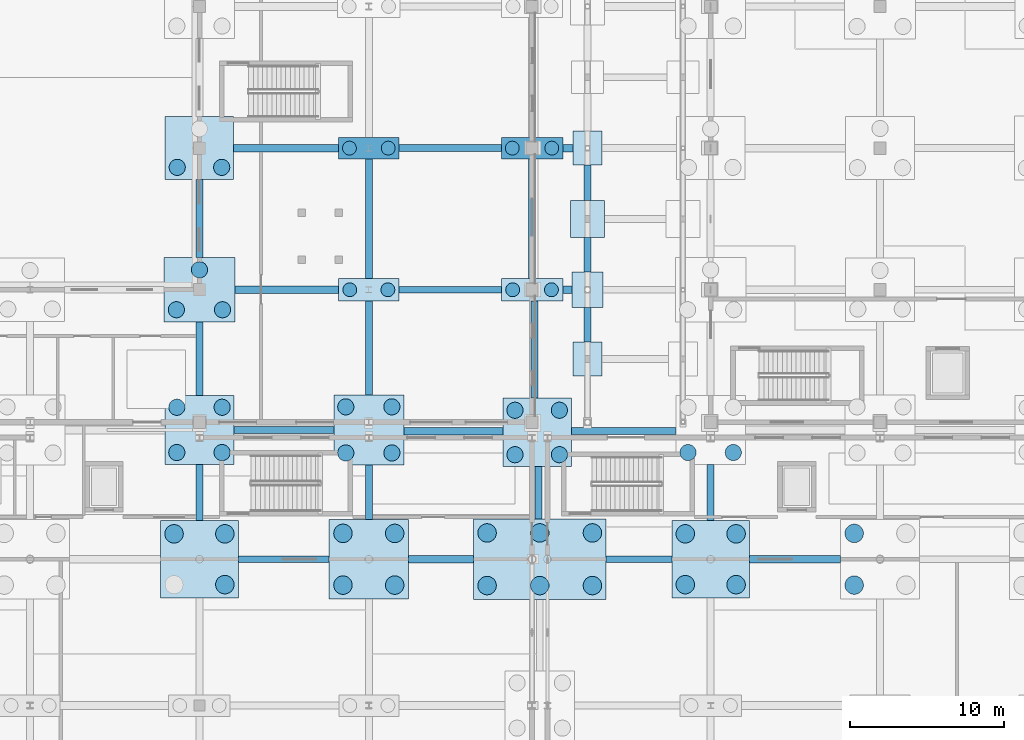
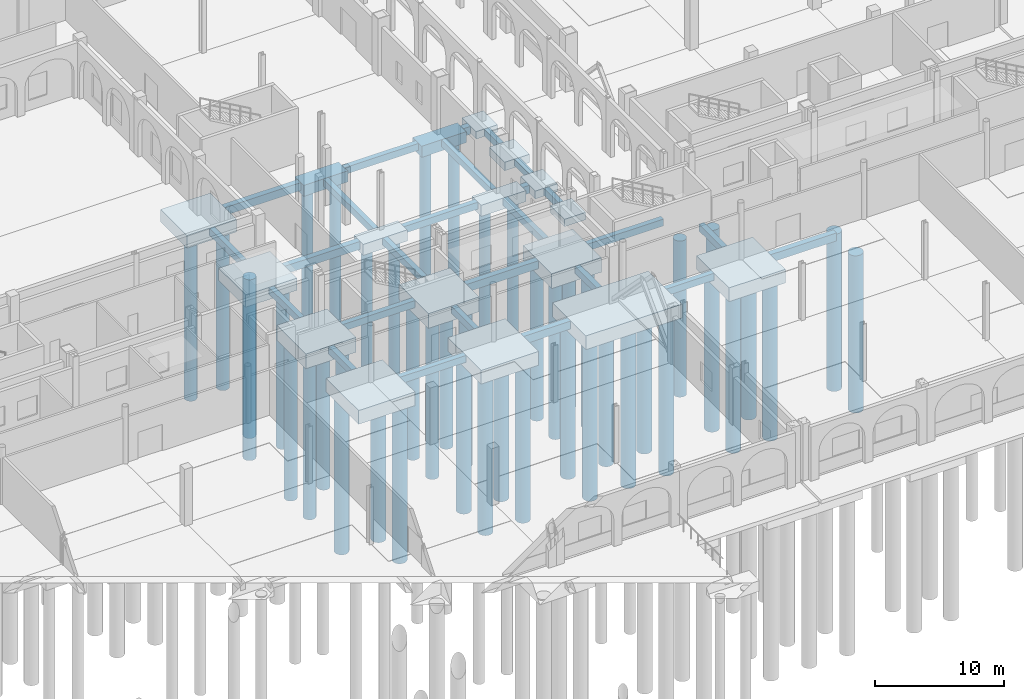
# One storey, part 7 of 83: 46 piles, 43 footings.
"""IFC4 building model written with IfcOpenShell, lengths in metres."""

from ifc_helpers import new_model, si_unit, direction, frame, origin, origin_2d, place, context, subcontext, project, spatial, polyline, circle, outline, extrude, material, material_profile, profile_set, type_object, element, save


model = new_model("IFC4")

# Units and contexts
model_context = context("Model", 3, precision=1e-05, world=origin(), true_north=direction((0.0, 1.0)))
body_context = subcontext(model_context, "Body", "Model", "MODEL_VIEW")
ifc_project = project(units=[si_unit("LENGTHUNIT", "METRE"), si_unit("AREAUNIT", "SQUARE_METRE"), si_unit("VOLUMEUNIT", "CUBIC_METRE"), si_unit("PLANEANGLEUNIT", "RADIAN"), si_unit("MASSUNIT", "GRAM", prefix="KILO")], contexts=[model_context])

# Site, building, storey
site_placement = place(None, origin())
site = spatial("IfcSite", under=ifc_project, at=site_placement, CompositionType="ELEMENT")
building_placement = place(site_placement, origin())
building = spatial("IfcBuilding", under=site, at=building_placement, Name="Caurita Quay Ferry Terminal", CompositionType="ELEMENT")
storey_placement = place(building_placement, origin())
storey = spatial("IfcBuildingStorey", under=building, at=storey_placement, Name="L00", CompositionType="ELEMENT", Elevation=0.0)

# Footings
ifc_material = material(Name="Marine reinforced concrete C40/50", Category="concrete")
footing_type_1 = type_object("IfcFootingType", Name="FTG-BM-01", PredefinedType="FOOTING_BEAM", material=ifc_material)
footing_1_placement = place(storey_placement, frame((0.0, 0.0, -1.14990234375)))
element("IfcFooting", 1, at=footing_1_placement, inside=storey, type_object=footing_type_1, Name="Seismic Tie Footing Beam FB-X-081", PredefinedType="FOOTING_BEAM", context=body_context, shape_type="SweptSolid", body=[
    extrude(outline(polyline([(79.574951171875, 62.449951171875), (83.800048828125, 62.449951171875), (83.800048828125, 62.949951171875), (79.574951171875, 62.949951171875), (79.574951171875, 62.449951171875)])), origin(), (0.0, 0.0, 1.0), 0.75),
])
footing_2_placement = place(storey_placement, frame((0.0, 0.0, -1.14990234375)))
element("IfcFooting", 2, at=footing_2_placement, inside=storey, type_object=footing_type_1, Name="Seismic Tie Footing Beam FB-X-083", PredefinedType="FOOTING_BEAM", context=body_context, shape_type="SweptSolid", body=[
    extrude(outline(polyline([(101.72509765625, 62.449951171875), (107.625, 62.449951171875), (107.625, 62.949951171875), (101.72509765625, 62.949951171875), (101.72509765625, 62.449951171875)])), origin(), (0.0, 0.0, 1.0), 0.75),
])
footing_3_placement = place(storey_placement, frame((0.0, 0.0, -1.14990234375)))
element("IfcFooting", 3, at=footing_3_placement, inside=storey, type_object=footing_type_1, Name="Seismic Tie Footing Beam FB-X-097", PredefinedType="FOOTING_BEAM", context=body_context, shape_type="SweptSolid", body=[
    extrude(outline(polyline([(79.27490234375, 70.76708984375), (85.7080078125, 70.76708984375), (85.7080078125, 71.26708984375), (79.27490234375, 71.26708984375), (79.27490234375, 70.76708984375)])), origin(), (0.0, 0.0, 1.0), 0.75),
])
footing_4_placement = place(storey_placement, frame((0.0, 0.0, -1.14990234375)))
element("IfcFooting", 4, at=footing_4_placement, inside=storey, type_object=footing_type_1, Name="Seismic Tie Footing Beam FB-X-113", PredefinedType="FOOTING_BEAM", context=body_context, shape_type="SweptSolid", body=[
    extrude(outline(polyline([(68.300048828125, 79.949951171875), (75.02490234375, 79.949951171875), (75.02490234375, 80.449951171875), (68.300048828125, 80.449951171875), (68.300048828125, 79.949951171875)])), origin(), (0.0, 0.0, 1.0), 0.75),
])
footing_5_placement = place(storey_placement, frame((0.0, 0.0, -1.14990234375)))
element("IfcFooting", 5, at=footing_5_placement, inside=storey, type_object=footing_type_1, Name="Seismic Tie Footing Beam FB-X-115", PredefinedType="FOOTING_BEAM", context=body_context, shape_type="SweptSolid", body=[
    extrude(outline(polyline([(89.60009765625, 79.949951171875), (90.199951171875, 79.949951171875), (90.199951171875, 80.449951171875), (89.60009765625, 80.449951171875), (89.60009765625, 79.949951171875)])), origin(), (0.0, 0.0, 1.0), 0.75),
])
footing_6_placement = place(storey_placement, frame((0.0, 0.0, -1.14990234375)))
element("IfcFooting", 6, at=footing_6_placement, inside=storey, type_object=footing_type_1, Name="Seismic Tie Footing Beam FB-X-127", PredefinedType="FOOTING_BEAM", context=body_context, shape_type="SweptSolid", body=[
    extrude(outline(polyline([(68.22509765625, 89.14990234375), (75.02490234375, 89.14990234375), (75.02490234375, 89.64990234375), (68.22509765625, 89.64990234375), (68.22509765625, 89.14990234375)])), origin(), (0.0, 0.0, 1.0), 0.75),
])
footing_7_placement = place(storey_placement, frame((0.0, 0.0, -1.14990234375)))
element("IfcFooting", 7, at=footing_7_placement, inside=storey, type_object=footing_type_1, Name="Seismic Tie Footing Beam FB-X-129", PredefinedType="FOOTING_BEAM", context=body_context, shape_type="SweptSolid", body=[
    extrude(outline(polyline([(89.60009765625, 89.14990234375), (90.25, 89.14990234375), (90.25, 89.64990234375), (89.60009765625, 89.64990234375), (89.60009765625, 89.14990234375)])), origin(), (0.0, 0.0, 1.0), 0.75),
])
footing_type_2 = type_object("IfcFootingType", Name="FTG-BM-02", PredefinedType="FOOTING_BEAM", material=ifc_material)
footing_8_placement = place(storey_placement, frame((0.0, 0.0, -1.050048828125)))
element("IfcFooting", 8, at=footing_8_placement, inside=storey, type_object=footing_type_2, Name="Seismic Tie Footing Beam FB-X-080", PredefinedType="FOOTING_BEAM", context=body_context, shape_type="SweptSolid", body=[
    extrude(outline(polyline([(68.52490234375, 62.47509765625), (74.425048828125, 62.47509765625), (74.425048828125, 62.925048828125), (68.52490234375, 62.925048828125), (68.52490234375, 62.47509765625)])), origin(), (0.0, 0.0, 1.0), 0.650146484375),
])
footing_9_placement = place(storey_placement, frame((0.0, 0.0, -1.050048828125)))
element("IfcFooting", 9, at=footing_9_placement, inside=storey, type_object=footing_type_2, Name="Seismic Tie Footing Beam FB-X-082", PredefinedType="FOOTING_BEAM", context=body_context, shape_type="SweptSolid", body=[
    extrude(outline(polyline([(92.39990234375, 62.47509765625), (96.675048828125, 62.47509765625), (96.675048828125, 62.925048828125), (92.39990234375, 62.925048828125), (92.39990234375, 62.47509765625)])), origin(), (0.0, 0.0, 1.0), 0.650146484375),
])
footing_10_placement = place(storey_placement, frame((0.0, 0.0, -1.050048828125)))
element("IfcFooting", 10, at=footing_10_placement, inside=storey, type_object=footing_type_2, Name="Seismic Tie Footing Beam FB-X-096", PredefinedType="FOOTING_BEAM", context=body_context, shape_type="SweptSolid", body=[
    extrude(outline(polyline([(68.25, 70.875), (74.72509765625, 70.875), (74.72509765625, 71.324951171875), (68.25, 71.324951171875), (68.25, 70.875)])), origin(), (0.0, 0.0, 1.0), 0.650146484375),
])
footing_11_placement = place(storey_placement, frame((0.0, 0.0, -1.050048828125)))
element("IfcFooting", 11, at=footing_11_placement, inside=storey, type_object=footing_type_2, Name="Seismic Tie Footing Beam FB-X-098", PredefinedType="FOOTING_BEAM", context=body_context, shape_type="SweptSolid", body=[
    extrude(outline(polyline([(90.157958984375, 70.7919921875), (96.949951171875, 70.7919921875), (96.949951171875, 71.241943359375), (90.157958984375, 71.241943359375), (90.157958984375, 70.7919921875)])), origin(), (0.0, 0.0, 1.0), 0.650146484375),
])
footing_12_placement = place(storey_placement, frame((0.0, 0.0, -1.050048828125)))
element("IfcFooting", 12, at=footing_12_placement, inside=storey, type_object=footing_type_2, Name="Seismic Tie Footing Beam FB-X-114", PredefinedType="FOOTING_BEAM", context=body_context, shape_type="SweptSolid", body=[
    extrude(outline(polyline([(78.97509765625, 79.97509765625), (85.60009765625, 79.97509765625), (85.60009765625, 80.425048828125), (78.97509765625, 80.425048828125), (78.97509765625, 79.97509765625)])), origin(), (0.0, 0.0, 1.0), 0.650146484375),
])
footing_13_placement = place(storey_placement, frame((0.0, 0.0, -1.050048828125)))
element("IfcFooting", 13, at=footing_13_placement, inside=storey, type_object=footing_type_2, Name="Seismic Tie Footing Beam FB-X-128", PredefinedType="FOOTING_BEAM", context=body_context, shape_type="SweptSolid", body=[
    extrude(outline(polyline([(78.97509765625, 89.175048828125), (85.60009765625, 89.175048828125), (85.60009765625, 89.625), (78.97509765625, 89.625), (78.97509765625, 89.175048828125)])), origin(), (0.0, 0.0, 1.0), 0.650146484375),
])
footing_14_placement = place(storey_placement, frame((0.0, 0.0, -1.050048828125)))
element("IfcFooting", 14, at=footing_14_placement, inside=storey, type_object=footing_type_2, Name="Seismic Tie Footing Beam FB-Y-245", PredefinedType="FOOTING_BEAM", context=body_context, shape_type="SweptSolid", body=[
    extrude(outline(polyline([(65.77490234375, 65.22509765625), (66.22509765625, 65.22509765625), (66.22509765625, 68.85009765625), (65.77490234375, 68.85009765625), (65.77490234375, 65.22509765625)])), origin(), (0.0, 0.0, 1.0), 0.650146484375),
])
footing_15_placement = place(storey_placement, frame((0.0, 0.0, -1.050048828125)))
element("IfcFooting", 15, at=footing_15_placement, inside=storey, type_object=footing_type_2, Name="Seismic Tie Footing Beam FB-Y-246", PredefinedType="FOOTING_BEAM", context=body_context, shape_type="SweptSolid", body=[
    extrude(outline(polyline([(65.77490234375, 73.35009765625), (66.22509765625, 73.35009765625), (66.22509765625, 78.10009765625), (65.77490234375, 78.10009765625), (65.77490234375, 73.35009765625)])), origin(), (0.0, 0.0, 1.0), 0.650146484375),
])
footing_16_placement = place(storey_placement, frame((0.0, 0.0, -1.050048828125)))
element("IfcFooting", 16, at=footing_16_placement, inside=storey, type_object=footing_type_2, Name="Seismic Tie Footing Beam FB-Y-247", PredefinedType="FOOTING_BEAM", context=body_context, shape_type="SweptSolid", body=[
    extrude(outline(polyline([(65.77490234375, 82.300048828125), (66.22509765625, 82.300048828125), (66.22509765625, 87.35009765625), (65.77490234375, 87.35009765625), (65.77490234375, 82.300048828125)])), origin(), (0.0, 0.0, 1.0), 0.650146484375),
])
footing_17_placement = place(storey_placement, frame((0.0, 0.0, -1.050048828125)))
element("IfcFooting", 17, at=footing_17_placement, inside=storey, type_object=footing_type_2, Name="Seismic Tie Footing Beam FB-Y-256", PredefinedType="FOOTING_BEAM", context=body_context, shape_type="SweptSolid", body=[
    extrude(outline(polyline([(76.77490234375, 65.27490234375), (77.22509765625, 65.27490234375), (77.22509765625, 68.824951171875), (76.77490234375, 68.824951171875), (76.77490234375, 65.27490234375)])), origin(), (0.0, 0.0, 1.0), 0.650146484375),
])
footing_18_placement = place(storey_placement, frame((0.0, 0.0, -1.050048828125)))
element("IfcFooting", 18, at=footing_18_placement, inside=storey, type_object=footing_type_2, Name="Seismic Tie Footing Beam FB-Y-257", PredefinedType="FOOTING_BEAM", context=body_context, shape_type="SweptSolid", body=[
    extrude(outline(polyline([(76.77490234375, 73.375), (77.22509765625, 73.375), (77.22509765625, 79.47509765625), (76.77490234375, 79.47509765625), (76.77490234375, 73.375)])), origin(), (0.0, 0.0, 1.0), 0.650146484375),
])
footing_19_placement = place(storey_placement, frame((0.0, 0.0, -1.050048828125)))
element("IfcFooting", 19, at=footing_19_placement, inside=storey, type_object=footing_type_2, Name="Seismic Tie Footing Beam FB-Y-258", PredefinedType="FOOTING_BEAM", context=body_context, shape_type="SweptSolid", body=[
    extrude(outline(polyline([(76.77490234375, 80.925048828125), (77.22509765625, 80.925048828125), (77.22509765625, 88.699951171875), (76.77490234375, 88.699951171875), (76.77490234375, 80.925048828125)])), origin(), (0.0, 0.0, 1.0), 0.650146484375),
])
footing_20_placement = place(storey_placement, frame((0.0, 0.0, -1.050048828125)))
element("IfcFooting", 20, at=footing_20_placement, inside=storey, type_object=footing_type_2, Name="Seismic Tie Footing Beam FB-Y-265", PredefinedType="FOOTING_BEAM", context=body_context, shape_type="SweptSolid", body=[
    extrude(outline(polyline([(87.7919921875, 65.300048828125), (88.241943359375, 65.300048828125), (88.241943359375, 68.7080078125), (87.7919921875, 68.7080078125), (87.7919921875, 65.300048828125)])), origin(), (0.0, 0.0, 1.0), 0.650146484375),
])
footing_21_placement = place(storey_placement, frame((0.0, 0.0, -1.050048828125)))
element("IfcFooting", 21, at=footing_21_placement, inside=storey, type_object=footing_type_2, Name="Seismic Tie Footing Beam FB-Y-266", PredefinedType="FOOTING_BEAM", context=body_context, shape_type="SweptSolid", body=[
    extrude(outline(polyline([(87.5419921875, 73.157958984375), (87.991943359375, 73.157958984375), (87.991943359375, 79.47509765625), (87.5419921875, 79.47509765625), (87.5419921875, 73.157958984375)])), origin(), (0.0, 0.0, 1.0), 0.650146484375),
])
footing_22_placement = place(storey_placement, frame((0.0, 0.0, -1.050048828125)))
element("IfcFooting", 22, at=footing_22_placement, inside=storey, type_object=footing_type_2, Name="Seismic Tie Footing Beam FB-Y-267", PredefinedType="FOOTING_BEAM", context=body_context, shape_type="SweptSolid", body=[
    extrude(outline(polyline([(87.375, 80.925048828125), (87.824951171875, 80.925048828125), (87.824951171875, 88.699951171875), (87.375, 88.699951171875), (87.375, 80.925048828125)])), origin(), (0.0, 0.0, 1.0), 0.650146484375),
])
footing_23_placement = place(storey_placement, frame((0.0, 0.0, -1.050048828125)))
element("IfcFooting", 23, at=footing_23_placement, inside=storey, type_object=footing_type_2, Name="Seismic Tie Footing Beam FB-Y-271", PredefinedType="FOOTING_BEAM", context=body_context, shape_type="SweptSolid", body=[
    extrude(outline(polyline([(90.97509765625, 76.800048828125), (91.425048828125, 76.800048828125), (91.425048828125, 79.050048828125), (90.97509765625, 79.050048828125), (90.97509765625, 76.800048828125)])), origin(), (0.0, 0.0, 1.0), 0.650146484375),
])
footing_24_placement = place(storey_placement, frame((0.0, 0.0, -1.050048828125)))
element("IfcFooting", 24, at=footing_24_placement, inside=storey, type_object=footing_type_2, Name="Seismic Tie Footing Beam FB-Y-272", PredefinedType="FOOTING_BEAM", context=body_context, shape_type="SweptSolid", body=[
    extrude(outline(polyline([(90.97509765625, 81.35009765625), (91.425048828125, 81.35009765625), (91.425048828125, 83.60009765625), (90.97509765625, 83.60009765625), (90.97509765625, 81.35009765625)])), origin(), (0.0, 0.0, 1.0), 0.650146484375),
])
footing_25_placement = place(storey_placement, frame((0.0, 0.0, -1.050048828125)))
element("IfcFooting", 25, at=footing_25_placement, inside=storey, type_object=footing_type_2, Name="Seismic Tie Footing Beam FB-Y-273", PredefinedType="FOOTING_BEAM", context=body_context, shape_type="SweptSolid", body=[
    extrude(outline(polyline([(90.97509765625, 86.0), (91.425048828125, 86.0), (91.425048828125, 88.300048828125), (90.97509765625, 88.300048828125), (90.97509765625, 86.0)])), origin(), (0.0, 0.0, 1.0), 0.650146484375),
])
footing_26_placement = place(storey_placement, frame((0.0, 0.0, -1.050048828125)))
element("IfcFooting", 26, at=footing_26_placement, inside=storey, type_object=footing_type_2, Name="Seismic Tie Footing Beam FB-Y-281", PredefinedType="FOOTING_BEAM", context=body_context, shape_type="SweptSolid", body=[
    extrude(outline(polyline([(98.97509765625, 65.22509765625), (99.425048828125, 65.22509765625), (99.425048828125, 68.85009765625), (98.97509765625, 68.85009765625), (98.97509765625, 65.22509765625)])), origin(), (0.0, 0.0, 1.0), 0.650146484375),
])
footing_type_3 = type_object("IfcFootingType", Name="FTG-PAD-02", PredefinedType="PAD_FOOTING", material=ifc_material)
footing_27_placement = place(storey_placement, frame((0.0, 0.0, -1.14990234375)))
element("IfcFooting", 27, at=footing_27_placement, inside=storey, type_object=footing_type_3, Name="Pad Footing PF-02", PredefinedType="PAD_FOOTING", context=body_context, shape_type="SweptSolid", body=[
    extrude(outline(polyline([(90.199951171875, 79.050048828125), (92.199951171875, 79.050048828125), (92.199951171875, 81.35009765625), (90.199951171875, 81.35009765625), (90.199951171875, 79.050048828125)])), origin(), (0.0, 0.0, 1.0), 0.75),
])
footing_type_4 = type_object("IfcFootingType", Name="FTG-PAD-03", PredefinedType="PAD_FOOTING", material=ifc_material)
footing_28_placement = place(storey_placement, frame((0.0, 0.0, -1.10009765625)))
element("IfcFooting", 28, at=footing_28_placement, inside=storey, type_object=footing_type_4, Name="Pad Footing PF-03", PredefinedType="PAD_FOOTING", context=body_context, shape_type="SweptSolid", body=[
    extrude(outline(polyline([(90.25, 88.300048828125), (92.14990234375, 88.300048828125), (92.14990234375, 90.5), (90.25, 90.5), (90.25, 88.300048828125)])), origin(), (0.0, 0.0, 1.0), 0.7001953125),
])
footing_29_placement = place(storey_placement, frame((0.0, 0.0, -1.10009765625)))
element("IfcFooting", 29, at=footing_29_placement, inside=storey, type_object=footing_type_4, Name="Pad Footing PF-11", PredefinedType="PAD_FOOTING", context=body_context, shape_type="SweptSolid", body=[
    extrude(outline(polyline([(90.25, 74.60009765625), (92.14990234375, 74.60009765625), (92.14990234375, 76.800048828125), (90.25, 76.800048828125), (90.25, 74.60009765625)])), origin(), (0.0, 0.0, 1.0), 0.7001953125),
])
footing_type_5 = type_object("IfcFootingType", Name="FTG-PAD-04", PredefinedType="PAD_FOOTING", material=ifc_material)
footing_30_placement = place(storey_placement, frame((0.0, 0.0, -1.199951171875)))
element("IfcFooting", 30, at=footing_30_placement, inside=storey, type_object=footing_type_5, Name="Pad Footing PF-12", PredefinedType="PAD_FOOTING", context=body_context, shape_type="SweptSolid", body=[
    extrude(outline(polyline([(90.10009765625, 83.60009765625), (92.300048828125, 83.60009765625), (92.300048828125, 86.0), (90.10009765625, 86.0), (90.10009765625, 83.60009765625)])), origin(), (0.0, 0.0, 1.0), 0.800048828125),
])
footing_type_6 = type_object("IfcFootingType", Name="FTG-PC-04", PredefinedType="PILE_CAP", material=ifc_material)
footing_31_placement = place(storey_placement, frame((0.0, 0.0, -1.699951171875)))
element("IfcFooting", 31, at=footing_31_placement, inside=storey, type_object=footing_type_6, Name="Pile Cap PC-058", PredefinedType="PILE_CAP", context=body_context, shape_type="SweptSolid", body=[
    extrude(outline(polyline([(63.47509765625, 60.175048828125), (68.52490234375, 60.175048828125), (68.52490234375, 65.22509765625), (63.47509765625, 65.22509765625), (63.47509765625, 60.175048828125)])), origin(), (0.0, 0.0, 1.0), 1.300048828125),
])
footing_32_placement = place(storey_placement, frame((0.0, 0.0, -1.699951171875)))
element("IfcFooting", 32, at=footing_32_placement, inside=storey, type_object=footing_type_6, Name="Pile Cap PC-088", PredefinedType="PILE_CAP", context=body_context, shape_type="SweptSolid", body=[
    extrude(outline(polyline([(96.675048828125, 60.175048828125), (101.72509765625, 60.175048828125), (101.72509765625, 65.22509765625), (96.675048828125, 65.22509765625), (96.675048828125, 60.175048828125)])), origin(), (0.0, 0.0, 1.0), 1.300048828125),
])
footing_type_7 = type_object("IfcFootingType", Name="FTG-PC-07", PredefinedType="PILE_CAP", material=ifc_material)
footing_33_placement = place(storey_placement, frame((0.0, 0.0, -1.800048828125)))
element("IfcFooting", 33, at=footing_33_placement, inside=storey, type_object=footing_type_7, Name="Pile Cap PC-079", PredefinedType="PILE_CAP", context=body_context, shape_type="SweptSolid", body=[
    extrude(outline(polyline([(85.7080078125, 68.7080078125), (90.157958984375, 68.7080078125), (90.157958984375, 73.157958984375), (85.7080078125, 73.157958984375), (85.7080078125, 68.7080078125)])), origin(), (0.0, 0.0, 1.0), 1.400146484375),
])
footing_type_8 = type_object("IfcFootingType", Name="FTG-PC-09", PredefinedType="PILE_CAP", material=ifc_material)
footing_34_placement = place(storey_placement, frame((0.0, 0.0, -1.800048828125)))
element("IfcFooting", 34, at=footing_34_placement, inside=storey, type_object=footing_type_8, Name="Pile Cap PC-069", PredefinedType="PILE_CAP", context=body_context, shape_type="SweptSolid", body=[
    extrude(outline(polyline([(74.72509765625, 68.824951171875), (79.27490234375, 68.824951171875), (79.27490234375, 73.375), (74.72509765625, 73.375), (74.72509765625, 68.824951171875)])), origin(), (0.0, 0.0, 1.0), 1.400146484375),
])
footing_type_9 = type_object("IfcFootingType", Name="FTG-PC-14", PredefinedType="PILE_CAP", material=ifc_material)
footing_35_placement = place(storey_placement, frame((0.0, 0.0, -1.699951171875)))
element("IfcFooting", 35, at=footing_35_placement, inside=storey, type_object=footing_type_9, Name="Pile Cap PC-068", PredefinedType="PILE_CAP", context=body_context, shape_type="SweptSolid", body=[
    extrude(outline(polyline([(74.425048828125, 60.125), (79.574951171875, 60.125), (79.574951171875, 65.27490234375), (74.425048828125, 65.27490234375), (74.425048828125, 60.125)])), origin(), (0.0, 0.0, 1.0), 1.300048828125),
])
footing_type_10 = type_object("IfcFootingType", Name="FTG-PC-16", PredefinedType="PILE_CAP", material=ifc_material)
footing_36_placement = place(storey_placement, frame((0.0, 0.0, -1.800048828125)))
element("IfcFooting", 36, at=footing_36_placement, inside=storey, type_object=footing_type_10, Name="Pile Cap PC-059", PredefinedType="PILE_CAP", context=body_context, shape_type="SweptSolid", body=[
    extrude(outline(polyline([(63.75, 68.85009765625), (68.25, 68.85009765625), (68.25, 73.35009765625), (63.75, 73.35009765625), (63.75, 68.85009765625)])), origin(), (0.0, 0.0, 1.0), 1.400146484375),
])
footing_type_11 = type_object("IfcFootingType", Name="FTG-PC-18", PredefinedType="PILE_CAP", material=ifc_material)
footing_37_placement = place(storey_placement, frame((0.0, 0.0, -1.449951171875)))
element("IfcFooting", 37, at=footing_37_placement, inside=storey, type_object=footing_type_11, Name="Pile Cap PC-070", PredefinedType="PILE_CAP", context=body_context, shape_type="SweptSolid", body=[
    extrude(outline(polyline([(75.02490234375, 79.47509765625), (78.97509765625, 79.47509765625), (78.97509765625, 80.925048828125), (75.02490234375, 80.925048828125), (75.02490234375, 79.47509765625)])), origin(), (0.0, 0.0, 1.0), 1.050048828125),
])
footing_type_12 = type_object("IfcFootingType", Name="FTG-PC-19", PredefinedType="PILE_CAP", material=ifc_material)
footing_38_placement = place(storey_placement, frame((0.0, 0.0, -1.449951171875)))
element("IfcFooting", 38, at=footing_38_placement, inside=storey, type_object=footing_type_12, Name="Pile Cap PC-071", PredefinedType="PILE_CAP", context=body_context, shape_type="SweptSolid", body=[
    extrude(outline(polyline([(75.02490234375, 88.699951171875), (78.97509765625, 88.699951171875), (78.97509765625, 90.10009765625), (75.02490234375, 90.10009765625), (75.02490234375, 88.699951171875)])), origin(), (0.0, 0.0, 1.0), 1.050048828125),
])
footing_type_13 = type_object("IfcFootingType", Name="FTG-PC-22", PredefinedType="PILE_CAP", material=ifc_material)
footing_39_placement = place(storey_placement, frame((0.0, 0.0, -1.449951171875)))
element("IfcFooting", 39, at=footing_39_placement, inside=storey, type_object=footing_type_13, Name="Pile Cap PC-080", PredefinedType="PILE_CAP", context=body_context, shape_type="SweptSolid", body=[
    extrude(outline(polyline([(85.60009765625, 79.47509765625), (89.60009765625, 79.47509765625), (89.60009765625, 80.925048828125), (85.60009765625, 80.925048828125), (85.60009765625, 79.47509765625)])), origin(), (0.0, 0.0, 1.0), 1.050048828125),
])
footing_type_14 = type_object("IfcFootingType", Name="FTG-PC-23", PredefinedType="PILE_CAP", material=ifc_material)
footing_40_placement = place(storey_placement, frame((0.0, 0.0, -1.449951171875)))
element("IfcFooting", 40, at=footing_40_placement, inside=storey, type_object=footing_type_14, Name="Pile Cap PC-081", PredefinedType="PILE_CAP", context=body_context, shape_type="SweptSolid", body=[
    extrude(outline(polyline([(85.60009765625, 88.699951171875), (89.60009765625, 88.699951171875), (89.60009765625, 90.10009765625), (85.60009765625, 90.10009765625), (85.60009765625, 88.699951171875)])), origin(), (0.0, 0.0, 1.0), 1.050048828125),
])
footing_type_15 = type_object("IfcFootingType", Name="FTG-PC-24", PredefinedType="PILE_CAP", material=ifc_material)
footing_41_placement = place(storey_placement, frame((0.0, 0.0, -1.60009765625)))
element("IfcFooting", 41, at=footing_41_placement, inside=storey, type_object=footing_type_15, Name="Pile Cap PC-061", PredefinedType="PILE_CAP", context=body_context, shape_type="SweptSolid", body=[
    extrude(outline(polyline([(63.77490234375, 87.35009765625), (68.22509765625, 87.35009765625), (68.22509765625, 91.449951171875), (63.77490234375, 91.449951171875), (63.77490234375, 87.35009765625)])), origin(), (0.0, 0.0, 1.0), 1.2001953125),
])
footing_type_16 = type_object("IfcFootingType", Name="FTG-PC-27", PredefinedType="PILE_CAP", material=ifc_material)
footing_42_placement = place(storey_placement, frame((0.0, 0.0, -1.550048828125)))
element("IfcFooting", 42, at=footing_42_placement, inside=storey, type_object=footing_type_16, Name="Pile Cap PC-060", PredefinedType="PILE_CAP", context=body_context, shape_type="SweptSolid", body=[
    extrude(outline(polyline([(63.699951171875, 78.10009765625), (68.300048828125, 78.10009765625), (68.300048828125, 82.300048828125), (63.699951171875, 82.300048828125), (63.699951171875, 78.10009765625)])), origin(), (0.0, 0.0, 1.0), 1.150146484375),
])
footing_type_17 = type_object("IfcFootingType", Name="FTG-PC-29", PredefinedType="PILE_CAP", material=ifc_material)
footing_43_placement = place(storey_placement, frame((0.0, 0.0, -1.699951171875)))
element("IfcFooting", 43, at=footing_43_placement, inside=storey, type_object=footing_type_17, Name="Pile Cap PC-078", PredefinedType="PILE_CAP", context=body_context, shape_type="SweptSolid", body=[
    extrude(outline(polyline([(83.800048828125, 60.10009765625), (92.39990234375, 60.10009765625), (92.39990234375, 65.300048828125), (83.800048828125, 65.300048828125), (83.800048828125, 60.10009765625)])), origin(), (0.0, 0.0, 1.0), 1.300048828125),
])

# Piles
ifc_material_profile_1 = material_profile(ifc_material, circle(Radius=0.52490234375, at=origin_2d()), Name="PILE-D1050")
ifc_profile_set_1 = profile_set([ifc_material_profile_1], Name="Marine reinforced concrete C40/50")
pile_type_1 = type_object("IfcPileType", Name="TYPE-PL-1050", PredefinedType="BORED", material=ifc_profile_set_1)
for number, where, z_axis, x_axis, name in (
    (44, (64.530029296875, 69.6298828125, -1.699951171875), (0.0, 0.0, -1.0), (1.0, 0.0, 0.0), "Bored Marine Pile PC-059-P1"),
    (45, (67.469970703125, 69.6298828125, -1.699951171875), (0.0, 0.0, -1.0), (1.0, 0.0, 0.0), "Bored Marine Pile PC-059-P2"),
    (46, (64.530029296875, 72.570068359375, -1.699951171875), (0.0, 0.0, -1.0), (1.0, 0.0, 0.0), "Bored Marine Pile PC-059-P3"),
    (47, (67.469970703125, 72.570068359375, -1.699951171875), (0.0, 0.0, -1.0), (1.0, 0.0, 0.0), "Bored Marine Pile PC-059-P4"),
):
    element("IfcPile", number, at=place(storey_placement, frame(where, z_axis=z_axis, x_axis=x_axis)), inside=storey, type_object=pile_type_1, Name=name, PredefinedType="BORED", context=body_context, shape_type="SweptSolid", body=[
        extrude(circle(Radius=0.52490234375, at=origin_2d()), origin(), (0.0, 0.0, 1.0), 14.800048828125),
    ])
for number, where, z_axis, x_axis, name in (
    (48, (64.50390625, 78.904052734375, -1.449951171875), (0.0, 0.0, -1.0), (1.0, 0.0, 0.0), "Bored Marine Pile PC-060-P1"),
    (49, (67.49609375, 78.904052734375, -1.449951171875), (0.0, 0.0, -1.0), (1.0, 0.0, 0.0), "Bored Marine Pile PC-060-P2"),
    (50, (66.0, 81.49609375, -1.449951171875), (0.0, 0.0, -1.0), (1.0, 0.0, 0.0), "Bored Marine Pile PC-060-P3"),
):
    element("IfcPile", number, at=place(storey_placement, frame(where, z_axis=z_axis, x_axis=x_axis)), inside=storey, type_object=pile_type_1, Name=name, PredefinedType="BORED", context=body_context, shape_type="SweptSolid", body=[
        extrude(circle(Radius=0.52490234375, at=origin_2d()), origin(), (0.0, 0.0, 1.0), 15.050048828125),
    ])
for number, where, z_axis, x_axis, name in (
    (51, (64.555908203125, 88.14892578125, -1.5), (0.0, 0.0, -1.0), (1.0, 0.0, 0.0), "Bored Marine Pile PC-061-P1"),
    (52, (67.444091796875, 88.14892578125, -1.5), (0.0, 0.0, -1.0), (1.0, 0.0, 0.0), "Bored Marine Pile PC-061-P2"),
):
    element("IfcPile", number, at=place(storey_placement, frame(where, z_axis=z_axis, x_axis=x_axis)), inside=storey, type_object=pile_type_1, Name=name, PredefinedType="BORED", context=body_context, shape_type="SweptSolid", body=[
        extrude(circle(Radius=0.52490234375, at=origin_2d()), origin(), (0.0, 0.0, 1.0), 15.0),
    ])
for number, where, z_axis, x_axis, name in (
    (53, (75.50390625, 69.60302734375, -1.699951171875), (0.0, 0.0, -1.0), (1.0, 0.0, 0.0), "Bored Marine Pile PC-069-P1"),
    (54, (78.49609375, 69.60302734375, -1.699951171875), (0.0, 0.0, -1.0), (1.0, 0.0, 0.0), "Bored Marine Pile PC-069-P2"),
    (55, (75.50390625, 72.595947265625, -1.699951171875), (0.0, 0.0, -1.0), (1.0, 0.0, 0.0), "Bored Marine Pile PC-069-P3"),
    (56, (78.49609375, 72.595947265625, -1.699951171875), (0.0, 0.0, -1.0), (1.0, 0.0, 0.0), "Bored Marine Pile PC-069-P4"),
    (57, (86.489013671875, 69.489013671875, -1.699951171875), (0.0, 0.0, -1.0), (1.0, 0.0, 0.0), "Bored Marine Pile PC-079-P1"),
    (58, (89.376953125, 69.489013671875, -1.699951171875), (0.0, 0.0, -1.0), (1.0, 0.0, 0.0), "Bored Marine Pile PC-079-P2"),
    (59, (86.489013671875, 72.376953125, -1.699951171875), (0.0, 0.0, -1.0), (1.0, 0.0, 0.0), "Bored Marine Pile PC-079-P3"),
    (60, (89.376953125, 72.376953125, -1.699951171875), (0.0, 0.0, -1.0), (1.0, 0.0, 0.0), "Bored Marine Pile PC-079-P4"),
    (61, (97.72998046875, 69.6298828125, -1.699951171875), (0.0, 0.0, -1.0), (1.0, 0.0, 0.0), "Bored Marine Pile PC-089-P1"),
    (62, (100.669921875, 69.6298828125, -1.699951171875), (0.0, 0.0, -1.0), (1.0, 0.0, 0.0), "Bored Marine Pile PC-089-P2"),
):
    element("IfcPile", number, at=place(storey_placement, frame(where, z_axis=z_axis, x_axis=x_axis)), inside=storey, type_object=pile_type_1, Name=name, PredefinedType="BORED", context=body_context, shape_type="SweptSolid", body=[
        extrude(circle(Radius=0.52490234375, at=origin_2d()), origin(), (0.0, 0.0, 1.0), 14.800048828125),
    ])
ifc_material_profile_2 = material_profile(ifc_material, circle(Radius=0.60009765625, at=origin_2d()), Name="PILE-D1200")
ifc_profile_set_2 = profile_set([ifc_material_profile_2], Name="Marine reinforced concrete C40/50")
pile_type_2 = type_object("IfcPileType", Name="TYPE-PL-1200", PredefinedType="BORED", material=ifc_profile_set_2)
for number, where, z_axis, x_axis, name in (
    (63, (67.64990234375, 61.050048828125, -1.60009765625), (0.0, 0.0, -1.0), (1.0, 0.0, 0.0), "Bored Marine Pile PC-058-P2"),
    (64, (64.35009765625, 64.35009765625, -1.60009765625), (0.0, 0.0, -1.0), (1.0, 0.0, 0.0), "Bored Marine Pile PC-058-P3"),
    (65, (67.64990234375, 64.35009765625, -1.60009765625), (0.0, 0.0, -1.0), (1.0, 0.0, 0.0), "Bored Marine Pile PC-058-P4"),
    (66, (75.320068359375, 61.02001953125, -1.60009765625), (0.0, 0.0, -1.0), (1.0, 0.0, 0.0), "Bored Marine Pile PC-068-P1"),
    (67, (78.679931640625, 61.02001953125, -1.60009765625), (0.0, 0.0, -1.0), (1.0, 0.0, 0.0), "Bored Marine Pile PC-068-P2"),
    (68, (75.320068359375, 64.3798828125, -1.60009765625), (0.0, 0.0, -1.0), (1.0, 0.0, 0.0), "Bored Marine Pile PC-068-P3"),
    (69, (78.679931640625, 64.3798828125, -1.60009765625), (0.0, 0.0, -1.0), (1.0, 0.0, 0.0), "Bored Marine Pile PC-068-P4"),
    (70, (84.679931640625, 60.989990234375, -1.60009765625), (0.0, 0.0, -1.0), (1.0, 0.0, 0.0), "Bored Marine Pile PC-078-P1"),
    (71, (88.10009765625, 60.989990234375, -1.60009765625), (0.0, 0.0, -1.0), (1.0, 0.0, 0.0), "Bored Marine Pile PC-078-P2"),
    (72, (91.52001953125, 60.989990234375, -1.60009765625), (0.0, 0.0, -1.0), (1.0, 0.0, 0.0), "Bored Marine Pile PC-078-P3"),
    (73, (84.679931640625, 64.409912109375, -1.60009765625), (0.0, 0.0, -1.0), (1.0, 0.0, 0.0), "Bored Marine Pile PC-078-P4"),
    (74, (88.10009765625, 64.409912109375, -1.60009765625), (0.0, 0.0, -1.0), (1.0, 0.0, 0.0), "Bored Marine Pile PC-078-P5"),
    (75, (91.52001953125, 64.409912109375, -1.60009765625), (0.0, 0.0, -1.0), (1.0, 0.0, 0.0), "Bored Marine Pile PC-078-P6"),
    (76, (97.550048828125, 61.050048828125, -1.60009765625), (0.0, 0.0, -1.0), (1.0, 0.0, 0.0), "Bored Marine Pile PC-088-P1"),
    (77, (100.85009765625, 61.050048828125, -1.60009765625), (0.0, 0.0, -1.0), (1.0, 0.0, 0.0), "Bored Marine Pile PC-088-P2"),
    (78, (97.550048828125, 64.35009765625, -1.60009765625), (0.0, 0.0, -1.0), (1.0, 0.0, 0.0), "Bored Marine Pile PC-088-P3"),
    (79, (100.85009765625, 64.35009765625, -1.60009765625), (0.0, 0.0, -1.0), (1.0, 0.0, 0.0), "Bored Marine Pile PC-088-P4"),
    (80, (108.52001953125, 61.02001953125, -1.60009765625), (0.0, 0.0, -1.0), (1.0, 0.0, 0.0), "Bored Marine Pile PC-098-P1"),
    (81, (108.52001953125, 64.3798828125, -1.60009765625), (0.0, 0.0, -1.0), (1.0, 0.0, 0.0), "Bored Marine Pile PC-098-P3"),
):
    element("IfcPile", number, at=place(storey_placement, frame(where, z_axis=z_axis, x_axis=x_axis)), inside=storey, type_object=pile_type_2, Name=name, PredefinedType="BORED", context=body_context, shape_type="SweptSolid", body=[
        extrude(circle(Radius=0.60009765625, at=origin_2d()), origin(), (0.0, 0.0, 1.0), 14.89990234375),
    ])
ifc_material_profile_3 = material_profile(ifc_material, circle(Radius=0.449951171875, at=origin_2d()), Name="PILE-D900")
ifc_profile_set_3 = profile_set([ifc_material_profile_3], Name="Marine reinforced concrete C40/50")
pile_type_3 = type_object("IfcPileType", Name="TYPE-PL-900", PredefinedType="BORED", material=ifc_profile_set_3)
for number, where, z_axis, x_axis, name in (
    (82, (75.762939453125, 80.199951171875, -1.35009765625), (0.0, 0.0, -1.0), (1.0, 0.0, 0.0), "Bored Marine Pile PC-070-P1"),
    (83, (78.237060546875, 80.199951171875, -1.35009765625), (0.0, 0.0, -1.0), (1.0, 0.0, 0.0), "Bored Marine Pile PC-070-P2"),
    (84, (75.739990234375, 89.39990234375, -1.35009765625), (0.0, 0.0, -1.0), (1.0, 0.0, 0.0), "Bored Marine Pile PC-071-P1"),
    (85, (78.260009765625, 89.39990234375, -1.35009765625), (0.0, 0.0, -1.0), (1.0, 0.0, 0.0), "Bored Marine Pile PC-071-P2"),
    (86, (86.340087890625, 80.199951171875, -1.35009765625), (0.0, 0.0, -1.0), (1.0, 0.0, 0.0), "Bored Marine Pile PC-080-P1"),
    (87, (88.860107421875, 80.199951171875, -1.35009765625), (0.0, 0.0, -1.0), (1.0, 0.0, 0.0), "Bored Marine Pile PC-080-P2"),
    (88, (86.31689453125, 89.39990234375, -1.35009765625), (0.0, 0.0, -1.0), (1.0, 0.0, 0.0), "Bored Marine Pile PC-081-P1"),
    (89, (88.882080078125, 89.39990234375, -1.35009765625), (0.0, 0.0, -1.0), (1.0, 0.0, 0.0), "Bored Marine Pile PC-081-P2"),
):
    element("IfcPile", number, at=place(storey_placement, frame(where, z_axis=z_axis, x_axis=x_axis)), inside=storey, type_object=pile_type_3, Name=name, PredefinedType="BORED", context=body_context, shape_type="SweptSolid", body=[
        extrude(circle(Radius=0.449951171875, at=origin_2d()), origin(), (0.0, 0.0, 1.0), 15.14990234375),
    ])

save(model, "model.ifc")
